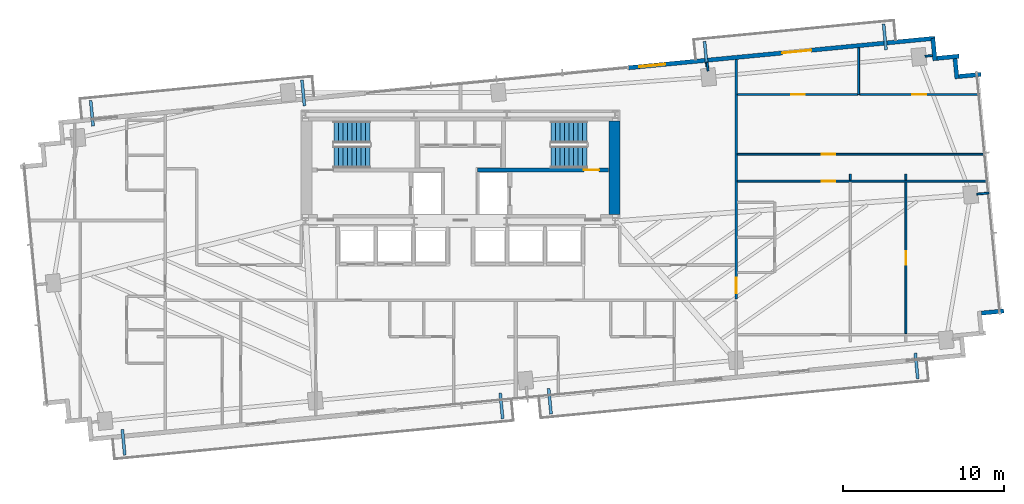
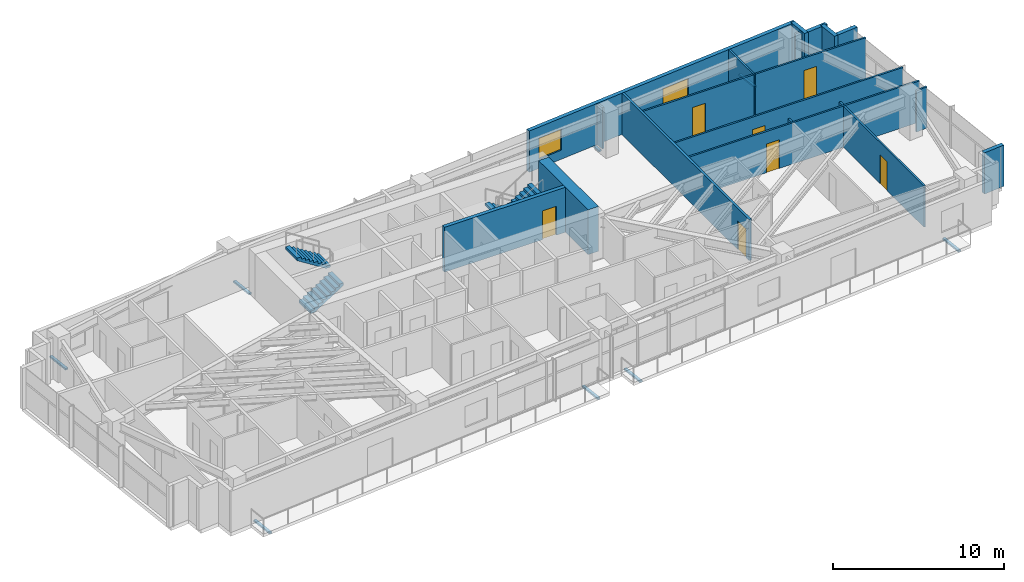
# One storey, part 24 of 27: 20 walls, 8 discrete accessories, 8 doors, 4 stair flights, 1 window, 9 openings, 2 elements without a shape of their own.
"""IFC4 building model written with IfcOpenShell, lengths in metres."""

from ifc_helpers import new_model, si_unit, direction, frame, frame_2d, origin, origin_2d, place, context, subcontext, project, spatial, polyline, rectangle, outline, extrude, source, transform, mapped, material, layer, layer_set, type_object, type_shapes, element, fill, aggregate, save


model = new_model("IFC4")

# Units and contexts
model_context = context("Model", 3, precision=1e-05, world=origin(), true_north=direction((0.0, 1.0)))
body_context = subcontext(model_context, "Body", "Model", "MODEL_VIEW")
ifc_project = project(units=[si_unit("LENGTHUNIT", "METRE"), si_unit("AREAUNIT", "SQUARE_METRE"), si_unit("VOLUMEUNIT", "CUBIC_METRE"), si_unit("PLANEANGLEUNIT", "RADIAN"), si_unit("MASSUNIT", "GRAM", prefix="KILO")], contexts=[model_context])

# Site, building, storey
site_placement = place(None, origin())
site = spatial("IfcSite", under=ifc_project, at=site_placement, CompositionType="ELEMENT")
building_placement = place(site_placement, origin())
building = spatial("IfcBuilding", under=site, at=building_placement, Name="Astriad Promenade Condominiums", CompositionType="ELEMENT")
storey_placement = place(building_placement, frame((0.0, 0.0, 84.199951171875)))
storey = spatial("IfcBuildingStorey", under=building, at=storey_placement, Name="L23", CompositionType="ELEMENT", Elevation=84.199951171875)

# Wall
ifc_material_1 = material(Name="Concrete C60/75", Category="concrete")
ifc_layer_1 = layer(ifc_material_1, 0.699951171875)
ifc_layer_set_1 = layer_set([ifc_layer_1], Name="Concrete C60/75")
wall_type_1 = type_object("IfcWallType", Name="CW-SHEAR-700", PredefinedType="SHEAR", material=ifc_layer_set_1)
wall_1_placement = place(storey_placement, frame((45.550048828125, 17.802001953125, 0.0), z_axis=(0.0, 0.0, 1.0), x_axis=(0.0, 1.0, 0.0)))
element("IfcWall", 1, at=wall_1_placement, inside=storey, type_object=wall_type_1, Name="CW-CORE-E-L23", PredefinedType="SHEAR", context=body_context, shape_type="SweptSolid", body=[
    extrude(rectangle(XDim=5.7958984375, YDim=0.699951171875, at=frame_2d((2.89794921875, 0.0))), origin(), (0.0, 0.0, 1.0), 3.199951171875),
])

# Wall, opening, door
ifc_material_2 = material(Name="Concrete C50/60", Category="concrete")
ifc_layer_2 = layer(ifc_material_2, 0.25)
ifc_layer_set_2 = layer_set([ifc_layer_2], Name="Concrete C50/60")
wall_type_2 = type_object("IfcWallType", Name="WALL-CORE-INT-250", PredefinedType="SOLIDWALL", material=ifc_layer_set_2)
wall_2_placement = place(storey_placement, frame((37.050048828125, 20.574951171875, 0.0), z_axis=(0.0, 0.0, 1.0), x_axis=(1.0, 0.0, 0.0)))
wall_2 = element("IfcWall", 2, at=wall_2_placement, inside=storey, type_object=wall_type_2, Name="CW-INT-H2-L23", PredefinedType="SOLIDWALL", context=body_context, shape_type="SweptSolid", body=[
    extrude(rectangle(XDim=8.14794921875, YDim=0.25, at=frame_2d((4.073974609375, 0.0))), origin(), (0.0, 0.0, 1.0), 3.199951171875),
])
opening_1_placement = place(wall_2_placement, frame((6.60009765625, 0.0, 0.0)))
opening_1 = element("IfcOpeningElement", 3, at=opening_1_placement, cuts=wall_2, Name="Opening FD90-ST-095", PredefinedType="OPENING", context=body_context, shape_type="SweptSolid", body=[
    extrude(rectangle(XDim=0.949951171875, YDim=2.06005859375, at=frame_2d((0.47509765625, 1.030029296875))), frame((0.0, 0.135009765625, 0.0), z_axis=(0.0, -1.0, 0.0), x_axis=(1.0, 0.0, 0.0)), (0.0, 0.0, 1.0), 0.27001953125),
])
ifc_material_3 = material(Name="Fire-Rated Hollow Metal Stair Door")
door_type_1 = type_object("IfcDoorType", Name="FD90-ST-095", OperationType="NOTDEFINED", PredefinedType="DOOR", material=ifc_material_3)
shared_shape_1 = source(origin(), body_context, "Body", "SweptSolid", [
    extrude(rectangle(XDim=0.949951171875, YDim=2.06005859375, at=frame_2d((0.47509765625, 1.030029296875))), frame((0.0, 0.02490234375, 0.0), z_axis=(0.0, -1.0, 0.0), x_axis=(1.0, 0.0, 0.0)), (0.0, 0.0, 1.0), 0.050048828125),
])
type_shapes(door_type_1, [shared_shape_1])
door_1_placement = place(opening_1_placement, origin())
door_1 = element("IfcDoor", 4, at=door_1_placement, inside=storey, type_object=door_type_1, Name="D-ST2-L23", OperationType="SINGLE_SWING_RIGHT", OverallHeight=2.06005859375, OverallWidth=0.949951171875, PredefinedType="DOOR", context=body_context, shape_type="MappedRepresentation", body=[
    mapped(shared_shape_1, transform((0.0, 0.0, 0.0), scale=1.0)),
])
fill(opening_1, door_1)

ifc_material_4 = material(Name="Fire-Rated Gypsum Partition")
ifc_layer_3 = layer(ifc_material_4, 0.159912109375)
ifc_layer_set_3 = layer_set([ifc_layer_3], Name="Fire-Rated Gypsum Partition")
wall_type_3 = type_object("IfcWallType", Name="WALL-CORR-160", PredefinedType="PARTITIONING", material=ifc_layer_set_3)
wall_3_placement = place(storey_placement, frame((53.10009765625, 12.572021484375, 0.0), z_axis=(0.0, 0.0, 1.0), x_axis=(0.0, 1.0, 0.0)))
wall_3 = element("IfcWall", 5, at=wall_3_placement, inside=storey, type_object=wall_type_3, Name="PT-COR-E-L23-S2", PredefinedType="PARTITIONING", context=body_context, shape_type="SweptSolid", body=[
    extrude(rectangle(XDim=14.849365234375, YDim=0.159912109375, at=frame_2d((7.4248046875, 0.0))), origin(), (0.0, 0.0, 1.0), 2.93994140625),
])
opening_2_placement = place(wall_3_placement, frame((0.3701171875, 0.0, 0.0)))
opening_2 = element("IfcOpeningElement", 6, at=opening_2_placement, cuts=wall_3, Name="Opening FD60-APT-095", PredefinedType="OPENING", context=body_context, shape_type="SweptSolid", body=[
    extrude(rectangle(XDim=0.949951171875, YDim=2.06005859375, at=frame_2d((0.47509765625, 1.030029296875))), frame((0.0, 0.08984375, 0.0), z_axis=(0.0, -1.0, 0.0), x_axis=(1.0, 0.0, 0.0)), (0.0, 0.0, 1.0), 0.179931640625),
])
ifc_material_5 = material(Name="Solid-Core Acoustic Timber Residence Entry Door", Category="wood")
door_type_2 = type_object("IfcDoorType", Name="FD60-APT-095", OperationType="NOTDEFINED", PredefinedType="DOOR", material=ifc_material_5)
shared_shape_2 = source(origin(), body_context, "Body", "SweptSolid", [
    extrude(rectangle(XDim=0.949951171875, YDim=2.06005859375, at=frame_2d((0.47509765625, 1.030029296875))), frame((0.0, 0.02490234375, 0.0), z_axis=(0.0, -1.0, 0.0), x_axis=(1.0, 0.0, 0.0)), (0.0, 0.0, 1.0), 0.050048828125),
])
type_shapes(door_type_2, [shared_shape_2])
door_2_placement = place(opening_2_placement, origin())
door_2 = element("IfcDoor", 7, at=door_2_placement, inside=storey, type_object=door_type_2, Name="D-ENT-L23-E1", OperationType="SINGLE_SWING_RIGHT", OverallHeight=2.06005859375, OverallWidth=0.949951171875, PredefinedType="DOOR", context=body_context, shape_type="MappedRepresentation", body=[
    mapped(shared_shape_2, transform((0.0, 0.0, 0.0), scale=1.0)),
])
fill(opening_2, door_2)

# Wall, openings, door, window
ifc_material_6 = material(Name="Precast concrete C50/60", Category="concrete")
ifc_layer_4 = layer(ifc_material_6, 0.260009765625)
ifc_layer_set_4 = layer_set([ifc_layer_4], Name="Precast concrete C50/60")
wall_type_4 = type_object("IfcWallType", Name="WALL-EXT-TWR-260", PredefinedType="STANDARD", material=ifc_layer_set_4)
wall_4_placement = place(storey_placement, frame((46.40625, 26.90966796875, 0.0), z_axis=(0.0, 0.0, 1.0), x_axis=(0.995396638587, 0.095841180552, 0.0)))
wall_4 = element("IfcWall", 8, at=wall_4_placement, inside=storey, type_object=wall_type_4, Name="W-EXT-L23-N2", PredefinedType="STANDARD", context=body_context, shape_type="SweptSolid", body=[
    extrude(rectangle(XDim=19.110107421875, YDim=0.260009765625, at=frame_2d((9.55517578125, 0.0))), origin(), (0.0, 0.0, 1.0), 2.93994140625),
])
opening_3_placement = place(wall_4_placement, frame((9.60009765625, 0.0, 0.0)))
opening_3 = element("IfcOpeningElement", 9, at=opening_3_placement, cuts=wall_4, Name="Opening BD-1822-SLD", PredefinedType="OPENING", context=body_context, shape_type="SweptSolid", body=[
    extrude(rectangle(XDim=1.800048828125, YDim=2.06005859375, at=frame_2d((0.89990234375, 1.030029296875))), frame((0.0, 0.139892578125, 0.0), z_axis=(0.0, -1.0, 0.0), x_axis=(1.0, 0.0, 0.0)), (0.0, 0.0, 1.0), 0.280029296875),
])
opening_4_placement = place(wall_4_placement, frame((0.699951171875, 0.0, 0.64990234375)))
opening_4 = element("IfcOpeningElement", 10, at=opening_4_placement, cuts=wall_4, Name="Opening WIN-TWR-1620", PredefinedType="OPENING", context=body_context, shape_type="SweptSolid", body=[
    extrude(rectangle(XDim=1.60009765625, YDim=1.5, at=frame_2d((0.800048828125, 0.75))), frame((0.0, 0.139892578125, 0.0), z_axis=(0.0, -1.0, 0.0), x_axis=(1.0, 0.0, 0.0)), (0.0, 0.0, 1.0), 0.280029296875),
])
ifc_material_7 = material(Name="Thermally Broken Aluminium Sliding Balcony Door", Category="aluminium")
door_type_3 = type_object("IfcDoorType", Name="BD-1822-SLD", OperationType="NOTDEFINED", PredefinedType="DOOR", material=ifc_material_7)
shared_shape_3 = source(origin(), body_context, "Body", "SweptSolid", [
    extrude(rectangle(XDim=1.800048828125, YDim=2.06005859375, at=frame_2d((0.89990234375, 1.030029296875))), frame((0.0, 0.02490234375, 0.0), z_axis=(0.0, -1.0, 0.0), x_axis=(1.0, 0.0, 0.0)), (0.0, 0.0, 1.0), 0.050048828125),
])
type_shapes(door_type_3, [shared_shape_3])
door_3_placement = place(opening_3_placement, origin())
door_3 = element("IfcDoor", 11, at=door_3_placement, inside=storey, type_object=door_type_3, Name="BD-L23-NE", OperationType="SLIDING_TO_RIGHT", OverallHeight=2.06005859375, OverallWidth=1.800048828125, PredefinedType="DOOR", context=body_context, shape_type="MappedRepresentation", body=[
    mapped(shared_shape_3, transform((0.0, 0.0, 0.0), scale=1.0)),
])
fill(opening_3, door_3)
ifc_material_8 = material(Name="Dark Tinted Triple-Glazed Aluminium Window", Category="aluminium")
window_type = type_object("IfcWindowType", Name="WIN-TWR-1620", PartitioningType="SINGLE_PANEL", PredefinedType="WINDOW", material=ifc_material_8)
shared_shape_4 = source(origin(), body_context, "Body", "SweptSolid", [
    extrude(rectangle(XDim=1.60009765625, YDim=1.5, at=frame_2d((0.800048828125, 0.75))), frame((0.0, 0.030029296875, 0.0), z_axis=(0.0, -1.0, 0.0), x_axis=(1.0, 0.0, 0.0)), (0.0, 0.0, 1.0), 0.06005859375),
])
type_shapes(window_type, [shared_shape_4])
window_placement = place(opening_4_placement, origin())
window = element("IfcWindow", 12, at=window_placement, inside=storey, type_object=window_type, Name="WIN-L23-NE", OverallHeight=1.5, OverallWidth=1.60009765625, PartitioningType="SINGLE_PANEL", PredefinedType="WINDOW", context=body_context, shape_type="MappedRepresentation", body=[
    mapped(shared_shape_4, transform((0.0, 0.0, 0.0), scale=1.0)),
])
fill(opening_4, window)

# Walls
for number, where, z_axis, x_axis, name in (
    (13, (65.297607421875, 28.74365234375, 0.0), (0.0, 0.0, 1.0), (0.095725744959, -0.99540774648, 0.0), "W-SER-L23-09"),
    (14, (65.533203125, 27.49560546875, 0.0), (0.0, 0.0, 1.0), (0.99540774648, 0.095725744959, 0.0), "W-SER-L23-10"),
):
    element("IfcWall", number, at=place(storey_placement, frame(where, z_axis=z_axis, x_axis=x_axis)), inside=storey, type_object=wall_type_4, Name=name, PredefinedType="STANDARD", context=body_context, shape_type="SweptSolid", body=[
        extrude(rectangle(XDim=1.39501953125, YDim=0.260009765625, at=frame_2d((0.697509765625, 0.0))), origin(), (0.0, 0.0, 1.0), 2.93994140625),
    ])
wall_5_placement = place(storey_placement, frame((66.66162109375, 27.619140625, 0.0), z_axis=(0.0, 0.0, 1.0), x_axis=(0.095742423056, -0.99540614245, 0.0)))
element("IfcWall", 15, at=wall_5_placement, inside=storey, type_object=wall_type_4, Name="W-SER-L23-11", PredefinedType="STANDARD", context=body_context, shape_type="SweptSolid", body=[
    extrude(rectangle(XDim=1.394775390625, YDim=0.260009765625, at=frame_2d((0.697265625, 0.0))), origin(), (0.0, 0.0, 1.0), 2.93994140625),
])
wall_6_placement = place(storey_placement, frame((66.897216796875, 26.37109375, 0.0), z_axis=(0.0, 0.0, 1.0), x_axis=(0.995391056452, 0.09589913835, 0.0)))
element("IfcWall", 16, at=wall_6_placement, inside=storey, type_object=wall_type_4, Name="W-SER-L23-12", PredefinedType="STANDARD", context=body_context, shape_type="SweptSolid", body=[
    extrude(rectangle(XDim=1.39501953125, YDim=0.260009765625, at=frame_2d((0.697509765625, 0.0))), origin(), (0.0, 0.0, 1.0), 2.93994140625),
])
wall_7_placement = place(storey_placement, frame((69.698486328125, 11.83251953125, 0.0), z_axis=(0.0, 0.0, 1.0), x_axis=(-0.99540614245, -0.095742423056, 0.0)))
element("IfcWall", 17, at=wall_7_placement, inside=storey, type_object=wall_type_4, Name="W-SER-L23-14", PredefinedType="STANDARD", context=body_context, shape_type="SweptSolid", body=[
    extrude(rectangle(XDim=1.394775390625, YDim=0.260009765625, at=frame_2d((0.697265625, 0.0))), origin(), (0.0, 0.0, 1.0), 2.93994140625),
])
ifc_material_9 = material(Name="Acoustic Metal-Stud Gypsum Partition")
ifc_layer_5 = layer(ifc_material_9, 0.1201171875)
ifc_layer_set_5 = layer_set([ifc_layer_5], Name="Acoustic Metal-Stud Gypsum Partition")
wall_type_5 = type_object("IfcWallType", Name="WALL-PART-120", PredefinedType="PARTITIONING", material=ifc_layer_set_5)
wall_8_placement = place(storey_placement, frame((60.695068359375, 25.2548828125, 0.0), z_axis=(0.0, 0.0, 1.0), x_axis=(0.0, 1.0, 0.0)))
element("IfcWall", 18, at=wall_8_placement, inside=storey, type_object=wall_type_5, Name="PT-L23-E1-B1M", PredefinedType="PARTITIONING", context=body_context, shape_type="SweptSolid", body=[
    extrude(rectangle(XDim=2.89794921875, YDim=0.1201171875, at=frame_2d((1.448974609375, 0.0))), origin(), (0.0, 0.0, 1.0), 2.93994140625),
])

# Wall, opening, door
wall_9_placement = place(storey_placement, frame((53.181884765625, 25.2548828125, 0.0), z_axis=(0.0, 0.0, 1.0), x_axis=(1.0, 0.0, 0.0)))
wall_9 = element("IfcWall", 19, at=wall_9_placement, inside=storey, type_object=wall_type_5, Name="PT-L23-E1-B1", PredefinedType="PARTITIONING", context=body_context, shape_type="SweptSolid", body=[
    extrude(rectangle(XDim=7.451171875, YDim=0.1201171875, at=frame_2d((3.7255859375, 0.0))), origin(), (0.0, 0.0, 1.0), 2.93994140625),
])
opening_5_placement = place(wall_9_placement, frame((3.3310546875, 0.0, 0.0)))
opening_5 = element("IfcOpeningElement", 20, at=opening_5_placement, cuts=wall_9, Name="Opening D-INT-085", PredefinedType="OPENING", context=body_context, shape_type="SweptSolid", body=[
    extrude(rectangle(XDim=0.85009765625, YDim=2.050048828125, at=frame_2d((0.425048828125, 1.02490234375))), frame((0.0, 0.070068359375, 0.0), z_axis=(0.0, -1.0, 0.0), x_axis=(1.0, 0.0, 0.0)), (0.0, 0.0, 1.0), 0.14013671875),
])
ifc_material_10 = material(Name="Painted Solid-Core Timber Room Door", Category="wood")
door_type_4 = type_object("IfcDoorType", Name="D-INT-085", OperationType="NOTDEFINED", PredefinedType="DOOR", material=ifc_material_10)
shared_shape_5 = source(origin(), body_context, "Body", "SweptSolid", [
    extrude(rectangle(XDim=0.85009765625, YDim=2.050048828125, at=frame_2d((0.425048828125, 1.02490234375))), frame((0.0, 0.02490234375, 0.0), z_axis=(0.0, -1.0, 0.0), x_axis=(1.0, 0.0, 0.0)), (0.0, 0.0, 1.0), 0.050048828125),
])
type_shapes(door_type_4, [shared_shape_5])
door_4_placement = place(opening_5_placement, origin())
door_4 = element("IfcDoor", 21, at=door_4_placement, inside=storey, type_object=door_type_4, Name="D-BD1-L23-E1", OperationType="SINGLE_SWING_LEFT", OverallHeight=2.050048828125, OverallWidth=0.85009765625, PredefinedType="DOOR", context=body_context, shape_type="MappedRepresentation", body=[
    mapped(shared_shape_5, transform((0.0, 0.0, 0.0), scale=1.0)),
])
fill(opening_5, door_4)

wall_10_placement = place(storey_placement, frame((60.757080078125, 25.2548828125, 0.0), z_axis=(0.0, 0.0, 1.0), x_axis=(1.0, 0.0, 0.0)))
wall_10 = element("IfcWall", 22, at=wall_10_placement, inside=storey, type_object=wall_type_5, Name="PT-L23-E1-B1-S2", PredefinedType="PARTITIONING", context=body_context, shape_type="SweptSolid", body=[
    extrude(rectangle(XDim=7.438232421875, YDim=0.1201171875, at=frame_2d((3.71923828125, 0.0))), origin(), (0.0, 0.0, 1.0), 2.93994140625),
])
opening_6_placement = place(wall_10_placement, frame((3.27001953125, 0.0, 0.0)))
opening_6 = element("IfcOpeningElement", 23, at=opening_6_placement, cuts=wall_10, Name="Opening D-INT-085", PredefinedType="OPENING", context=body_context, shape_type="SweptSolid", body=[
    extrude(rectangle(XDim=0.85009765625, YDim=2.050048828125, at=frame_2d((0.425048828125, 1.02490234375))), frame((0.0, 0.070068359375, 0.0), z_axis=(0.0, -1.0, 0.0), x_axis=(1.0, 0.0, 0.0)), (0.0, 0.0, 1.0), 0.14013671875),
])
door_5_placement = place(opening_6_placement, origin())
door_5 = element("IfcDoor", 24, at=door_5_placement, inside=storey, type_object=door_type_4, Name="D-BD1B-L23-E1", OperationType="SINGLE_SWING_RIGHT", OverallHeight=2.050048828125, OverallWidth=0.85009765625, PredefinedType="DOOR", context=body_context, shape_type="MappedRepresentation", body=[
    mapped(shared_shape_5, transform((0.0, 0.0, 0.0), scale=1.0)),
])
fill(opening_6, door_5)

wall_11_placement = place(storey_placement, frame((53.181884765625, 21.550048828125, 0.0), z_axis=(0.0, 0.0, 1.0), x_axis=(1.0, 0.0, 0.0)))
wall_11 = element("IfcWall", 25, at=wall_11_placement, inside=storey, type_object=wall_type_5, Name="PT-L23-E1-WDN1", PredefinedType="PARTITIONING", context=body_context, shape_type="SweptSolid", body=[
    extrude(rectangle(XDim=15.3701171875, YDim=0.1201171875, at=frame_2d((7.68505859375, 0.0))), origin(), (0.0, 0.0, 1.0), 2.93994140625),
])
opening_7_placement = place(wall_11_placement, frame((5.222900390625, 0.0, 0.0)))
opening_7 = element("IfcOpeningElement", 26, at=opening_7_placement, cuts=wall_11, Name="Opening D-INT-085", PredefinedType="OPENING", context=body_context, shape_type="SweptSolid", body=[
    extrude(rectangle(XDim=0.85009765625, YDim=2.050048828125, at=frame_2d((0.425048828125, 1.02490234375))), frame((0.0, 0.070068359375, 0.0), z_axis=(0.0, -1.0, 0.0), x_axis=(1.0, 0.0, 0.0)), (0.0, 0.0, 1.0), 0.14013671875),
])
door_6_placement = place(opening_7_placement, origin())
door_6 = element("IfcDoor", 27, at=door_6_placement, inside=storey, type_object=door_type_4, Name="D-WDN1-L23-E1", OperationType="SINGLE_SWING_LEFT", OverallHeight=2.050048828125, OverallWidth=0.85009765625, PredefinedType="DOOR", context=body_context, shape_type="MappedRepresentation", body=[
    mapped(shared_shape_5, transform((0.0, 0.0, 0.0), scale=1.0)),
])
fill(opening_7, door_6)

wall_12_placement = place(storey_placement, frame((53.181884765625, 19.882080078125, 0.0), z_axis=(0.0, 0.0, 1.0), x_axis=(1.0, 0.0, 0.0)))
wall_12 = element("IfcWall", 28, at=wall_12_placement, inside=storey, type_object=wall_type_5, Name="PT-L23-E1-WDN3", PredefinedType="PARTITIONING", context=body_context, shape_type="SweptSolid", body=[
    extrude(rectangle(XDim=15.530517578125, YDim=0.1201171875, at=frame_2d((7.76513671875, 0.0))), origin(), (0.0, 0.0, 1.0), 2.93994140625),
])
opening_8_placement = place(wall_12_placement, frame((5.222900390625, 0.0, 0.0)))
opening_8 = element("IfcOpeningElement", 29, at=opening_8_placement, cuts=wall_12, Name="Opening D-INT-085", PredefinedType="OPENING", context=body_context, shape_type="SweptSolid", body=[
    extrude(rectangle(XDim=0.85009765625, YDim=2.050048828125, at=frame_2d((0.425048828125, 1.02490234375))), frame((0.0, 0.070068359375, 0.0), z_axis=(0.0, -1.0, 0.0), x_axis=(1.0, 0.0, 0.0)), (0.0, 0.0, 1.0), 0.14013671875),
])
door_7_placement = place(opening_8_placement, origin())
door_7 = element("IfcDoor", 30, at=door_7_placement, inside=storey, type_object=door_type_4, Name="D-WDN3-L23-E1", OperationType="SINGLE_SWING_LEFT", OverallHeight=2.050048828125, OverallWidth=0.85009765625, PredefinedType="DOOR", context=body_context, shape_type="MappedRepresentation", body=[
    mapped(shared_shape_5, transform((0.0, 0.0, 0.0), scale=1.0)),
])
fill(opening_8, door_7)

wall_13_placement = place(storey_placement, frame((63.62890625, 10.425048828125, 0.0), z_axis=(0.0, 0.0, 1.0), x_axis=(0.0, 1.0, 0.0)))
wall_13 = element("IfcWall", 31, at=wall_13_placement, inside=storey, type_object=wall_type_5, Name="PT-L23-E1-WDV4-S2", PredefinedType="PARTITIONING", context=body_context, shape_type="SweptSolid", body=[
    extrude(rectangle(XDim=9.39501953125, YDim=0.1201171875, at=frame_2d((4.697509765625, 0.0))), origin(), (0.0, 0.0, 1.0), 2.93994140625),
])
opening_9_placement = place(wall_13_placement, frame((4.27197265625, 0.0, 0.0)))
opening_9 = element("IfcOpeningElement", 32, at=opening_9_placement, cuts=wall_13, Name="Opening D-INT-085", PredefinedType="OPENING", context=body_context, shape_type="SweptSolid", body=[
    extrude(rectangle(XDim=0.85009765625, YDim=2.050048828125, at=frame_2d((0.425048828125, 1.02490234375))), frame((0.0, 0.070068359375, 0.0), z_axis=(0.0, -1.0, 0.0), x_axis=(1.0, 0.0, 0.0)), (0.0, 0.0, 1.0), 0.14013671875),
])
door_8_placement = place(opening_9_placement, origin())
door_8 = element("IfcDoor", 33, at=door_8_placement, inside=storey, type_object=door_type_4, Name="D-WDV4-L23-E1", OperationType="SINGLE_SWING_RIGHT", OverallHeight=2.050048828125, OverallWidth=0.85009765625, PredefinedType="DOOR", context=body_context, shape_type="MappedRepresentation", body=[
    mapped(shared_shape_5, transform((0.0, 0.0, 0.0), scale=1.0)),
])
fill(opening_9, door_8)

# Walls
for number, where, z_axis, x_axis, name in (
    (34, (63.62890625, 19.944091796875, 0.0), (0.0, 0.0, 1.0), (0.0, 1.0, 0.0), "PT-L23-E1-WDV4-S3"),
    (35, (60.179931640625, 19.944091796875, 0.0), (0.0, 0.0, 1.0), (0.0, 1.0, 0.0), "PT-L23-E1-WDV5-S3"),
):
    element("IfcWall", number, at=place(storey_placement, frame(where, z_axis=z_axis, x_axis=x_axis)), inside=storey, type_object=wall_type_5, Name=name, PredefinedType="PARTITIONING", context=body_context, shape_type="SweptSolid", body=[
        extrude(rectangle(XDim=0.3779296875, YDim=0.1201171875, at=frame_2d((0.18896484375, 0.0))), origin(), (0.0, 0.0, 1.0), 2.93994140625),
    ])
wall_14_placement = place(storey_placement, frame((51.35791015625, 26.71337890625, 0.0), z_axis=(0.0, 0.0, 1.0), x_axis=(-0.095772948675, 0.995403205893, 0.0)))
element("IfcWall", 36, at=wall_14_placement, inside=storey, type_object=wall_type_5, Name="PT-PIL-L23-PC09-16", PredefinedType="PARTITIONING", context=body_context, shape_type="SweptSolid", body=[
    extrude(rectangle(XDim=0.537841796875, YDim=0.1201171875, at=frame_2d((0.26904296875, 0.0))), origin(), (0.0, 0.0, 1.0), 2.93994140625),
])
wall_15_placement = place(storey_placement, frame((64.812255859375, 27.626953125, 0.0), z_axis=(0.0, 0.0, 1.0), x_axis=(0.995389482415, 0.095915474751, 0.0)))
element("IfcWall", 37, at=wall_15_placement, inside=storey, type_object=wall_type_5, Name="PT-PIL-L23-PC10-17", PredefinedType="PARTITIONING", context=body_context, shape_type="SweptSolid", body=[
    extrude(rectangle(XDim=0.458251953125, YDim=0.1201171875, at=frame_2d((0.22900390625, 0.0))), origin(), (0.0, 0.0, 1.0), 2.93994140625),
])
wall_16_placement = place(storey_placement, frame((68.026611328125, 19.07568359375, 0.0), z_axis=(0.0, 0.0, 1.0), x_axis=(0.995377786728, 0.096036772582, 0.0)))
element("IfcWall", 38, at=wall_16_placement, inside=storey, type_object=wall_type_5, Name="PT-PIL-L23-PC12-19", PredefinedType="PARTITIONING", context=body_context, shape_type="SweptSolid", body=[
    extrude(rectangle(XDim=0.760009765625, YDim=0.1201171875, at=frame_2d((0.3798828125, 0.0))), origin(), (0.0, 0.0, 1.0), 2.93994140625),
])

# Stair, stair flights
stair_type = type_object("IfcStairType", Name="STR-CORE-1350", PredefinedType="HALF_TURN_STAIR", material=ifc_material_2)
stair_1_placement = place(storey_placement, origin())
stair_1 = element("IfcStair", 39, at=stair_1_placement, inside=storey, type_object=stair_type, Name="L23 Enclosed Core Exit Stair ST-1", PredefinedType="HALF_TURN_STAIR")
stair_flight_type = type_object("IfcStairFlightType", Name="SFL-CORE-1350", PredefinedType="STRAIGHT", material=ifc_material_2)
shared_shape_6 = source(origin(), body_context, "Body", "SweptSolid", [
    extrude(outline(polyline([(0.0, 0.0), (0.0, 0.177734375), (0.280029296875, 0.177734375), (0.280029296875, 0.35546875), (0.56005859375, 0.35546875), (0.56005859375, 0.533447265625), (0.840087890625, 0.533447265625), (0.840087890625, 0.711181640625), (1.1201171875, 0.711181640625), (1.1201171875, 0.888916015625), (1.39990234375, 0.888916015625), (1.39990234375, 1.066650390625), (1.679931640625, 1.066650390625), (1.679931640625, 1.244384765625), (1.9599609375, 1.244384765625), (1.9599609375, 1.422119140625), (2.239990234375, 1.422119140625), (2.239990234375, 1.60009765625), (2.239990234375, 1.24462890625), (0.27978515625, 0.0), (0.0, 0.0)])), frame((0.0, 0.675048828125, 0.0), z_axis=(0.0, -1.0, 0.0), x_axis=(1.0, 0.0, 0.0)), (0.0, 0.0, 1.0), 1.35009765625),
])
type_shapes(stair_flight_type, [shared_shape_6])
stair_flight_1_placement = place(storey_placement, frame((28.14990234375, 21.375, 0.0), z_axis=(0.0, 0.0, 1.0), x_axis=(1.0, 0.0, 0.0)))
stair_flight_1 = element("IfcStairFlight", 40, at=stair_flight_1_placement, type_object=stair_flight_type, Name="ST-1 flight 1", NumberOfRisers=9, NumberOfTreads=8, PredefinedType="STRAIGHT", RiserHeight=0.177777778, TreadLength=0.28, context=body_context, shape_type="MappedRepresentation", body=[
    mapped(shared_shape_6, transform((0.0, 0.0, 0.0), scale=1.0)),
])
stair_flight_2_placement = place(storey_placement, frame((30.389892578125, 22.925048828125, 1.60009765625), z_axis=(0.0, 0.0, 1.0), x_axis=(-1.0, 0.0, 0.0)))
stair_flight_2 = element("IfcStairFlight", 41, at=stair_flight_2_placement, type_object=stair_flight_type, Name="ST-1 flight 2", NumberOfRisers=9, NumberOfTreads=8, PredefinedType="STRAIGHT", RiserHeight=0.177777778, TreadLength=0.28, context=body_context, shape_type="MappedRepresentation", body=[
    mapped(shared_shape_6, transform((0.0, 0.0, 0.0), scale=1.0)),
])
aggregate(stair_1, [stair_flight_1, stair_flight_2])

stair_2_placement = place(storey_placement, origin())
stair_2 = element("IfcStair", 42, at=stair_2_placement, inside=storey, type_object=stair_type, Name="L23 Enclosed Core Exit Stair ST-2", PredefinedType="HALF_TURN_STAIR")
stair_flight_3_placement = place(storey_placement, frame((43.85009765625, 22.925048828125, 0.0), z_axis=(0.0, 0.0, 1.0), x_axis=(-1.0, 0.0, 0.0)))
stair_flight_3 = element("IfcStairFlight", 43, at=stair_flight_3_placement, type_object=stair_flight_type, Name="ST-2 flight 1", NumberOfRisers=9, NumberOfTreads=8, PredefinedType="STRAIGHT", RiserHeight=0.177777778, TreadLength=0.28, context=body_context, shape_type="MappedRepresentation", body=[
    mapped(shared_shape_6, transform((0.0, 0.0, 0.0), scale=1.0)),
])
stair_flight_4_placement = place(storey_placement, frame((41.610107421875, 21.375, 1.60009765625), z_axis=(0.0, 0.0, 1.0), x_axis=(1.0, 0.0, 0.0)))
stair_flight_4 = element("IfcStairFlight", 44, at=stair_flight_4_placement, type_object=stair_flight_type, Name="ST-2 flight 2", NumberOfRisers=9, NumberOfTreads=8, PredefinedType="STRAIGHT", RiserHeight=0.177777778, TreadLength=0.28, context=body_context, shape_type="MappedRepresentation", body=[
    mapped(shared_shape_6, transform((0.0, 0.0, 0.0), scale=1.0)),
])
aggregate(stair_2, [stair_flight_3, stair_flight_4])

# Discrete accessories
ifc_material_11 = material(Name="Steel ASTM A572 Grade 50", Category="steel")
discrete_accessory_type = type_object("IfcDiscreteAccessoryType", Name="STEEL BALCONY OUTRIGGER BRACKET", PredefinedType="BRACKET", material=ifc_material_11)
shared_shape_7 = source(origin(), body_context, "Body", "SweptSolid", [
    extrude(rectangle(XDim=1.60009765625, YDim=0.179931640625, at=origin_2d()), origin(), (0.0, 0.0, 1.0), 0.1220703125),
])
type_shapes(discrete_accessory_type, [shared_shape_7])
for number, where, z_axis, x_axis, name in (
    (45, (15.1123046875, 3.68310546875, -0.340087890625), (0.0, 0.0, 1.0), (0.09584575252, -0.995396198367, 0.0), "Balcony Outrigger Bracket BAL-L23-SW-A"),
    (46, (38.5458984375, 5.939697265625, -0.340087890625), (0.0, 0.0, 1.0), (0.09584575252, -0.995396198367, 0.0), "Balcony Outrigger Bracket BAL-L23-SW-B"),
    (47, (41.548095703125, 6.228759765625, -0.340087890625), (0.0, 0.0, 1.0), (0.09584575252, -0.995396198367, 0.0), "Balcony Outrigger Bracket BAL-L23-SE-A"),
    (48, (64.286865234375, 8.418212890625, -0.340087890625), (0.0, 0.0, 1.0), (0.09584575252, -0.995396198367, 0.0), "Balcony Outrigger Bracket BAL-L23-SE-B"),
    (49, (13.1474609375, 24.0888671875, -0.340087890625), (0.0, 0.0, 1.0), (-0.09584575252, 0.995396198367, 0.0), "Balcony Outrigger Bracket BAL-L23-NW-A"),
    (50, (26.2529296875, 25.3505859375, -0.340087890625), (0.0, 0.0, 1.0), (-0.09584575252, 0.995396198367, 0.0), "Balcony Outrigger Bracket BAL-L23-NW-B"),
    (51, (51.217529296875, 27.754638671875, -0.340087890625), (0.0, 0.0, 1.0), (-0.09584575252, 0.995396198367, 0.0), "Balcony Outrigger Bracket BAL-L23-NE-A"),
    (52, (62.322021484375, 28.82373046875, -0.340087890625), (0.0, 0.0, 1.0), (-0.09584575252, 0.995396198367, 0.0), "Balcony Outrigger Bracket BAL-L23-NE-B"),
):
    element("IfcDiscreteAccessory", number, at=place(storey_placement, frame(where, z_axis=z_axis, x_axis=x_axis)), inside=storey, type_object=discrete_accessory_type, Name=name, PredefinedType="BRACKET", context=body_context, shape_type="MappedRepresentation", body=[
        mapped(shared_shape_7, transform((0.0, 0.0, 0.0), scale=1.0)),
    ])

save(model, "model.ifc")
